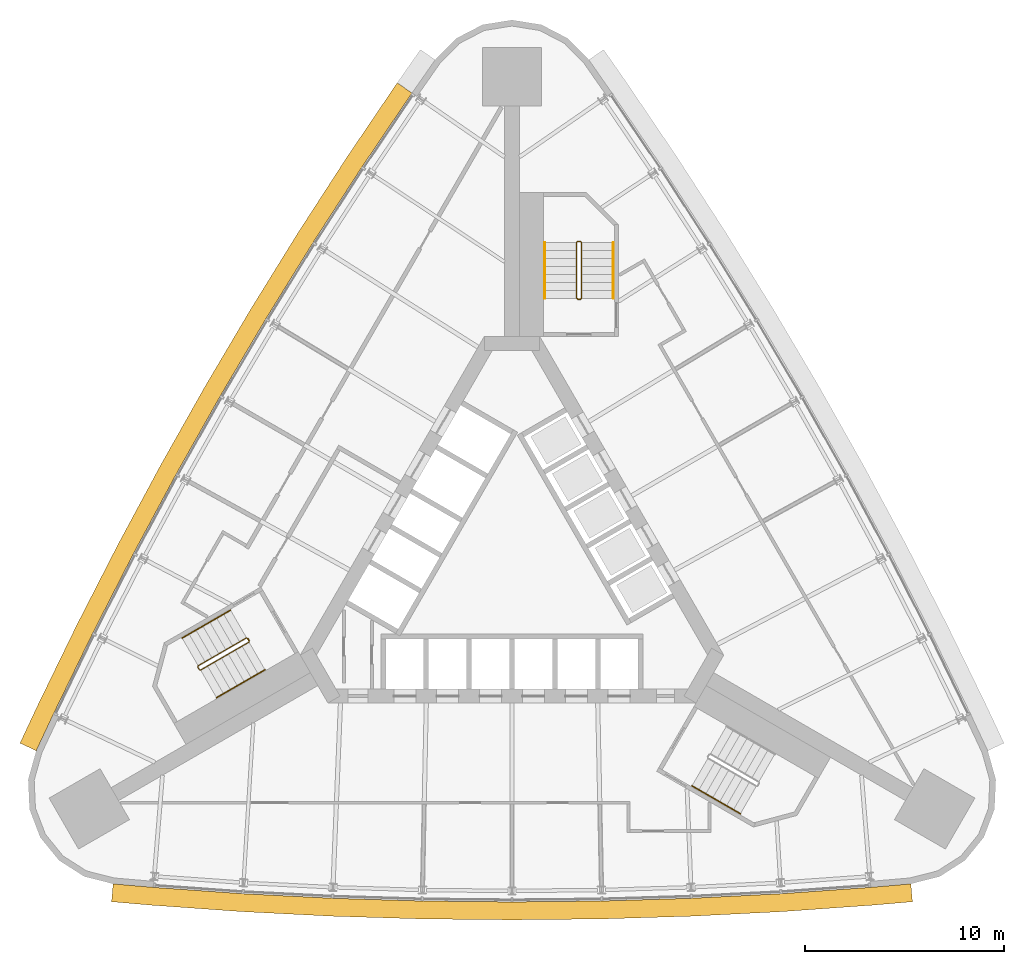
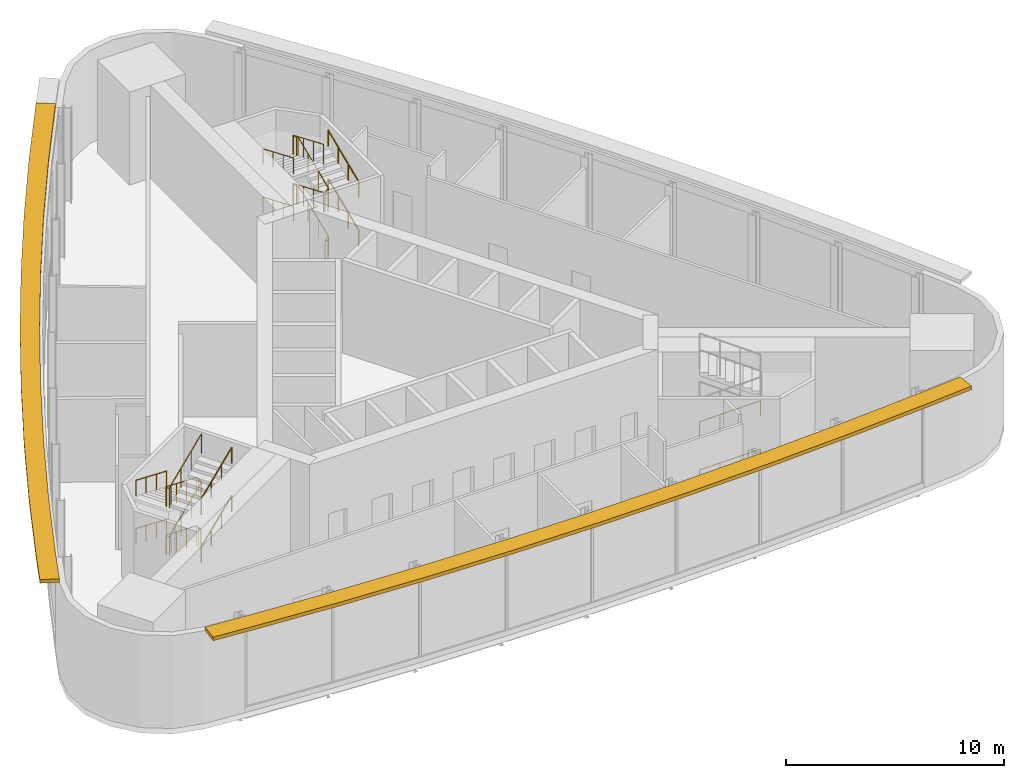
# One storey, part 9 of 11: 12 railings, 2 shading devices.
"""IFC4 building model written with IfcOpenShell, lengths in metres."""

from ifc_helpers import new_model, si_unit, direction, frame, origin, origin_2d, place, context, subcontext, project, spatial, polyline, circle, outline, extrude, material, type_object, element, save


model = new_model("IFC4")

# Units and contexts
model_context = context("Model", 3, precision=1e-05, world=origin(), true_north=direction((0.0, 1.0)))
body_context = subcontext(model_context, "Body", "Model", "MODEL_VIEW")
ifc_project = project(units=[si_unit("LENGTHUNIT", "METRE"), si_unit("AREAUNIT", "SQUARE_METRE"), si_unit("VOLUMEUNIT", "CUBIC_METRE"), si_unit("PLANEANGLEUNIT", "RADIAN"), si_unit("MASSUNIT", "GRAM", prefix="KILO")], contexts=[model_context])

# Site, building, storey
site_placement = place(None, origin())
site = spatial("IfcSite", under=ifc_project, at=site_placement, CompositionType="ELEMENT")
building_placement = place(site_placement, origin())
building = spatial("IfcBuilding", under=site, at=building_placement, Name="Noor Cloister Tower", CompositionType="ELEMENT")
storey_placement = place(building_placement, frame((0.0, 0.0, 134.699951171875)))
storey = spatial("IfcBuildingStorey", under=building, at=storey_placement, Name="L34", CompositionType="ELEMENT", Elevation=134.699951171875)

# Shading devices
ifc_material_1 = material(Name="Limestone", Category="masonry")
shading_device_type = type_object("IfcShadingDeviceType", Name="SUNSHADE limestone band 900", PredefinedType="USERDEFINED", material=ifc_material_1)
shading_device_1_placement = place(storey_placement, frame((0.0, 0.0, 5.199951171875)))
element("IfcShadingDevice", 1, at=shading_device_1_placement, inside=storey, type_object=shading_device_type, Name="SUNSHADE L34 1", ObjectType="SUNSHADE", PredefinedType="USERDEFINED", context=body_context, shape_type="SweptSolid", body=[
    extrude(outline(polyline([(-5.758056640625, 24.159912109375), (-8.2841796875, 20.4248046875), (-10.73876953125, 16.631591796875), (-13.115966796875, 12.789306640625), (-15.41455078125, 8.899658203125), (-17.6337890625, 4.964111328125), (-19.772705078125, 0.984130859375), (-21.83056640625, -3.0380859375), (-23.80517578125, -7.099365234375), (-24.666748046875, -8.93994140625), (-23.851806640625, -9.321533203125), (-22.992919921875, -7.48681640625), (-21.025146484375, -3.43994140625), (-18.9755859375, 0.566162109375), (-16.845458984375, 4.52978515625), (-14.635009765625, 8.449462890625), (-12.345703125, 12.323486328125), (-9.978271484375, 16.150390625), (-7.533447265625, 19.92822265625), (-5.0126953125, 23.65576171875), (-5.758056640625, 24.159912109375)])), origin(), (0.0, 0.0, 1.0), 0.2001953125),
])
shading_device_2_placement = place(storey_placement, frame((0.0, 0.0, 5.199951171875)))
element("IfcShadingDevice", 2, at=shading_device_2_placement, inside=storey, type_object=shading_device_type, Name="SUNSHADE L34 2", ObjectType="SUNSHADE", PredefinedType="USERDEFINED", context=body_context, shape_type="SweptSolid", body=[
    extrude(outline(polyline([(-20.07568359375, -16.89208984375), (-18.05078125, -17.066162109375), (-13.54638671875, -17.38671875), (-9.033935546875, -17.61572265625), (-4.51806640625, -17.75341796875), (0.0, -17.79931640625), (4.51806640625, -17.75341796875), (9.033935546875, -17.61572265625), (13.54638671875, -17.38671875), (18.05078125, -17.066162109375), (20.07568359375, -16.89208984375), (19.99853515625, -15.995361328125), (17.980224609375, -16.1689453125), (13.49169921875, -16.48828125), (8.99755859375, -16.716552734375), (4.499755859375, -16.853515625), (0.0, -16.899169921875), (-4.499755859375, -16.853515625), (-8.99755859375, -16.716552734375), (-13.49169921875, -16.48828125), (-17.980224609375, -16.1689453125), (-19.99853515625, -15.995361328125), (-20.07568359375, -16.89208984375)])), origin(), (0.0, 0.0, 1.0), 0.2001953125),
])

# Railings
ifc_material_2 = material(Name="Stainless steel", Category="steel")
railing_type_1 = type_object("IfcRailingType", Name="Stair guard 1100", PredefinedType="GUARDRAIL", material=ifc_material_2)
railing_1_placement = place(storey_placement, frame((3.435546875, 13.306396484375, 0.0)))
element("IfcRailing", 3, at=railing_1_placement, inside=storey, type_object=railing_type_1, Name="Stair guard ST1 L34", PredefinedType="GUARDRAIL", context=body_context, shape_type="SweptSolid", body=[
    extrude(circle(Radius=0.02392578125, at=origin_2d()), frame((0.0, 0.0, 1.076171875), z_axis=(-1.0, 0.0, 0.0), x_axis=(0.0, -1.0, 0.0)), (0.0, 0.0, 1.0), 0.14990234375),
    extrude(circle(Radius=0.02392578125, at=origin_2d()), frame((-0.14990234375, 0.0, 1.076171875), z_axis=(0.750691857518, 0.187902113298, 0.633367611166), x_axis=(-0.242814311512, 0.970072785993, 0.0)), (0.0, 0.0, 1.0), 0.266357421875),
    extrude(circle(Radius=0.02392578125, at=origin_2d()), frame((0.050048828125, 0.050048828125, 1.24462890625), z_axis=(0.0, 0.921349325574, 0.388735668886), x_axis=(-1.0, 0.0, 0.0)), (0.0, 0.0, 1.0), 3.0390625),
    extrude(circle(Radius=0.02392578125, at=origin_2d()), frame((0.050048828125, 2.85009765625, 2.42626953125), z_axis=(-0.708833529934, 0.705375805398, 0.0), x_axis=(-0.705375805398, -0.708833529934, 0.0)), (0.0, 0.0, 1.0), 0.070556640625),
    extrude(circle(Radius=0.02392578125, at=origin_2d()), frame((0.0, 2.89990234375, 2.42626953125), z_axis=(-1.0, 0.0, 0.0), x_axis=(0.0, -1.0, 0.0)), (0.0, 0.0, 1.0), 0.14990234375),
    extrude(circle(Radius=0.02392578125, at=origin_2d()), frame((-0.14990234375, 2.89990234375, 2.42626953125), z_axis=(-0.273668752699, -0.272333783174, 0.922463942026), x_axis=(0.705375805398, -0.708833529934, 0.0)), (0.0, 0.0, 1.0), 0.182861328125),
    extrude(circle(Radius=0.02392578125, at=origin_2d()), frame((-0.199951171875, 2.85009765625, 2.5947265625), z_axis=(0.0, -0.921378096441, 0.388667471495), x_axis=(1.0, 0.0, 0.0)), (0.0, 0.0, 1.0), 3.0390625),
    extrude(circle(Radius=0.02392578125, at=origin_2d()), frame((-0.199951171875, 0.050048828125, 3.77587890625), z_axis=(0.970072785993, -0.242814311512, 0.0), x_axis=(0.242814311512, 0.970072785993, 0.0)), (0.0, 0.0, 1.0), 0.2060546875),
    extrude(circle(Radius=0.02392578125, at=origin_2d()), frame((0.0, 0.0, 3.77587890625), z_axis=(-1.0, 0.0, 0.0), x_axis=(0.0, -1.0, 0.0)), (0.0, 0.0, 1.0), 0.14990234375),
    extrude(circle(Radius=0.02392578125, at=origin_2d()), frame((-0.14990234375, 0.0, 3.77587890625), z_axis=(0.750256113699, 0.187793044333, 0.633916032576), x_axis=(-0.242814311512, 0.970072785993, 0.0)), (0.0, 0.0, 1.0), 0.2666015625),
    extrude(circle(Radius=0.02392578125, at=origin_2d()), frame((0.050048828125, 0.050048828125, 3.94482421875), z_axis=(0.0, 0.921378096441, 0.388667471495), x_axis=(-1.0, 0.0, 0.0)), (0.0, 0.0, 1.0), 3.0390625),
    extrude(circle(Radius=0.02392578125, at=origin_2d()), frame((0.050048828125, 2.85009765625, 5.1259765625), z_axis=(-0.708833529934, 0.705375805398, 0.0), x_axis=(-0.705375805398, -0.708833529934, 0.0)), (0.0, 0.0, 1.0), 0.070556640625),
    extrude(circle(Radius=0.02392578125, at=origin_2d()), frame((0.0, 2.89990234375, 5.1259765625), z_axis=(-1.0, 0.0, 0.0), x_axis=(0.0, -1.0, 0.0)), (0.0, 0.0, 1.0), 0.14990234375),
    extrude(circle(Radius=0.02392578125, at=origin_2d()), frame((-0.14990234375, 2.89990234375, 5.1259765625), z_axis=(-0.273668752699, -0.272333783174, 0.922463942026), x_axis=(0.705375805398, -0.708833529934, 0.0)), (0.0, 0.0, 1.0), 0.182861328125),
    extrude(circle(Radius=0.02392578125, at=origin_2d()), frame((-0.199951171875, 2.85009765625, 5.294921875), z_axis=(0.0, -0.921349325574, 0.388735668886), x_axis=(1.0, 0.0, 0.0)), (0.0, 0.0, 1.0), 3.0390625),
    extrude(circle(Radius=0.02099609375, at=origin_2d()), origin(), (0.0, 0.0, 1.0), 1.052001953125),
    extrude(circle(Radius=0.02099609375, at=origin_2d()), frame((-0.14990234375, 0.0, 0.0)), (0.0, 0.0, 1.0), 1.052001953125),
    extrude(circle(Radius=0.02099609375, at=origin_2d()), frame((0.050048828125, 0.050048828125, 0.168701171875)), (0.0, 0.0, 1.0), 1.052001953125),
    extrude(circle(Radius=0.02099609375, at=origin_2d()), frame((0.050048828125, 0.9833984375, 0.5625)), (0.0, 0.0, 1.0), 1.052001953125),
    extrude(circle(Radius=0.02099609375, at=origin_2d()), frame((0.050048828125, 1.916748046875, 0.956298828125)), (0.0, 0.0, 1.0), 1.052001953125),
    extrude(circle(Radius=0.02099609375, at=origin_2d()), frame((0.050048828125, 2.85009765625, 1.35009765625)), (0.0, 0.0, 1.0), 1.052001953125),
    extrude(circle(Radius=0.02099609375, at=origin_2d()), frame((0.0, 2.89990234375, 1.35009765625)), (0.0, 0.0, 1.0), 1.052001953125),
    extrude(circle(Radius=0.02099609375, at=origin_2d()), frame((-0.14990234375, 2.89990234375, 1.35009765625)), (0.0, 0.0, 1.0), 1.052001953125),
    extrude(circle(Radius=0.02099609375, at=origin_2d()), frame((-0.199951171875, 2.85009765625, 1.518798828125)), (0.0, 0.0, 1.0), 1.052001953125),
    extrude(circle(Radius=0.02099609375, at=origin_2d()), frame((-0.199951171875, 1.916748046875, 1.91259765625)), (0.0, 0.0, 1.0), 1.052001953125),
    extrude(circle(Radius=0.02099609375, at=origin_2d()), frame((-0.199951171875, 0.9833984375, 2.30615234375)), (0.0, 0.0, 1.0), 1.052001953125),
    extrude(circle(Radius=0.02099609375, at=origin_2d()), frame((-0.199951171875, 0.050048828125, 2.699951171875)), (0.0, 0.0, 1.0), 1.052001953125),
    extrude(circle(Radius=0.02099609375, at=origin_2d()), frame((0.0, 0.0, 2.699951171875)), (0.0, 0.0, 1.0), 1.052001953125),
    extrude(circle(Radius=0.02099609375, at=origin_2d()), frame((-0.14990234375, 0.0, 2.699951171875)), (0.0, 0.0, 1.0), 1.052001953125),
    extrude(circle(Radius=0.02099609375, at=origin_2d()), frame((0.050048828125, 0.050048828125, 2.868896484375)), (0.0, 0.0, 1.0), 1.052001953125),
    extrude(circle(Radius=0.02099609375, at=origin_2d()), frame((0.050048828125, 0.9833984375, 3.2626953125)), (0.0, 0.0, 1.0), 1.052001953125),
    extrude(circle(Radius=0.02099609375, at=origin_2d()), frame((0.050048828125, 1.916748046875, 3.65625)), (0.0, 0.0, 1.0), 1.052001953125),
    extrude(circle(Radius=0.02099609375, at=origin_2d()), frame((0.050048828125, 2.85009765625, 4.050048828125)), (0.0, 0.0, 1.0), 1.052001953125),
    extrude(circle(Radius=0.02099609375, at=origin_2d()), frame((0.0, 2.89990234375, 4.050048828125)), (0.0, 0.0, 1.0), 1.052001953125),
    extrude(circle(Radius=0.02099609375, at=origin_2d()), frame((-0.14990234375, 2.89990234375, 4.050048828125)), (0.0, 0.0, 1.0), 1.052001953125),
    extrude(circle(Radius=0.02099609375, at=origin_2d()), frame((-0.199951171875, 2.85009765625, 4.21875)), (0.0, 0.0, 1.0), 1.052001953125),
    extrude(circle(Radius=0.02099609375, at=origin_2d()), frame((-0.199951171875, 1.916748046875, 4.612548828125)), (0.0, 0.0, 1.0), 1.052001953125),
    extrude(circle(Radius=0.02099609375, at=origin_2d()), frame((-0.199951171875, 0.9833984375, 5.00634765625)), (0.0, 0.0, 1.0), 1.052001953125),
    extrude(circle(Radius=0.02099609375, at=origin_2d()), frame((-0.199951171875, 0.050048828125, 5.400146484375)), (0.0, 0.0, 1.0), 1.052001953125),
])
railing_2_placement = place(storey_placement, frame((-13.241455078125, -3.677734375, 0.0)))
element("IfcRailing", 4, at=railing_2_placement, inside=storey, type_object=railing_type_1, Name="Stair guard ST2 L34", PredefinedType="GUARDRAIL", context=body_context, shape_type="SweptSolid", body=[
    extrude(circle(Radius=0.02392578125, at=origin_2d()), frame((0.0, 0.0, 1.076171875), z_axis=(0.499112439033, -0.866537231285, 0.0), x_axis=(0.866537231285, 0.499112439033, 0.0)), (0.0, 0.0, 1.0), 0.150146484375),
    extrude(circle(Radius=0.02392578125, at=origin_2d()), frame((0.074951171875, -0.130126953125, 1.076171875), z_axis=(-0.537989232676, 0.556319359854, 0.633305894001), x_axis=(-0.718850276695, -0.695164929852, 0.0)), (0.0, 0.0, 1.0), 0.266357421875),
    extrude(circle(Radius=0.02392578125, at=origin_2d()), frame((-0.068359375, 0.01806640625, 1.24462890625), z_axis=(-0.797913686838, -0.460656169989, 0.388753959989), x_axis=(0.49998411664, -0.866034573852, 0.0)), (0.0, 0.0, 1.0), 3.038818359375),
    extrude(circle(Radius=0.02392578125, at=origin_2d()), frame((-2.4931640625, -1.3818359375, 2.42626953125), z_axis=(-0.258736085224, -0.965948051503, 0.0), x_axis=(0.965948051503, -0.258736085224, 0.0)), (0.0, 0.0, 1.0), 0.07080078125),
    extrude(circle(Radius=0.02392578125, at=origin_2d()), frame((-2.511474609375, -1.4501953125, 2.42626953125), z_axis=(0.499816412211, -0.866131372301, 0.0), x_axis=(0.866131372301, 0.499816412211, 0.0)), (0.0, 0.0, 1.0), 0.14990234375),
    extrude(circle(Radius=0.02392578125, at=origin_2d()), frame((-2.4365234375, -1.580078125, 2.42626953125), z_axis=(0.373663631894, -0.100088472829, 0.922148462996), x_axis=(0.258736085224, 0.965948051503, 0.0)), (0.0, 0.0, 1.0), 0.182861328125),
    extrude(circle(Radius=0.02392578125, at=origin_2d()), frame((-2.3681640625, -1.598388671875, 2.5947265625), z_axis=(0.797909072615, 0.460733843279, 0.388671374679), x_axis=(-0.500049511043, 0.865996816683, 0.0)), (0.0, 0.0, 1.0), 3.0390625),
    extrude(circle(Radius=0.02392578125, at=origin_2d()), frame((0.056640625, -0.1982421875, 3.77587890625), z_axis=(-0.274721127897, 0.961523947641, 0.0), x_axis=(-0.961523947641, -0.274721127897, 0.0)), (0.0, 0.0, 1.0), 0.2060546875),
    extrude(circle(Radius=0.02392578125, at=origin_2d()), frame((0.0, 0.0, 3.77587890625), z_axis=(0.499112439033, -0.866537231285, 0.0), x_axis=(0.866537231285, 0.499112439033, 0.0)), (0.0, 0.0, 1.0), 0.150146484375),
    extrude(circle(Radius=0.02392578125, at=origin_2d()), frame((0.074951171875, -0.130126953125, 3.77587890625), z_axis=(-0.537677014239, 0.55599650365, 0.633854333651), x_axis=(-0.718850276695, -0.695164929852, 0.0)), (0.0, 0.0, 1.0), 0.2666015625),
    extrude(circle(Radius=0.02392578125, at=origin_2d()), frame((-0.068359375, 0.01806640625, 3.94482421875), z_axis=(-0.79793860554, -0.460670556199, 0.388685760532), x_axis=(0.49998411664, -0.866034573852, 0.0)), (0.0, 0.0, 1.0), 3.038818359375),
    extrude(circle(Radius=0.02392578125, at=origin_2d()), frame((-2.4931640625, -1.3818359375, 5.1259765625), z_axis=(-0.258736085224, -0.965948051503, 0.0), x_axis=(0.965948051503, -0.258736085224, 0.0)), (0.0, 0.0, 1.0), 0.07080078125),
    extrude(circle(Radius=0.02392578125, at=origin_2d()), frame((-2.511474609375, -1.4501953125, 5.1259765625), z_axis=(0.499816412211, -0.866131372301, 0.0), x_axis=(0.866131372301, 0.499816412211, 0.0)), (0.0, 0.0, 1.0), 0.14990234375),
    extrude(circle(Radius=0.02392578125, at=origin_2d()), frame((-2.4365234375, -1.580078125, 5.1259765625), z_axis=(0.373663631894, -0.100088472829, 0.922148462996), x_axis=(0.258736085224, 0.965948051503, 0.0)), (0.0, 0.0, 1.0), 0.182861328125),
    extrude(circle(Radius=0.02392578125, at=origin_2d()), frame((-2.3681640625, -1.598388671875, 5.294921875), z_axis=(0.79788415668, 0.460719456158, 0.388739572511), x_axis=(-0.500049511043, 0.865996816683, 0.0)), (0.0, 0.0, 1.0), 3.0390625),
    extrude(circle(Radius=0.02099609375, at=origin_2d()), origin(), (0.0, 0.0, 1.0), 1.052001953125),
    extrude(circle(Radius=0.02099609375, at=origin_2d()), frame((0.074951171875, -0.130126953125, 0.0)), (0.0, 0.0, 1.0), 1.052001953125),
    extrude(circle(Radius=0.02099609375, at=origin_2d()), frame((-0.068359375, 0.01806640625, 0.168701171875)), (0.0, 0.0, 1.0), 1.052001953125),
    extrude(circle(Radius=0.02099609375, at=origin_2d()), frame((-0.876708984375, -0.448486328125, 0.5625)), (0.0, 0.0, 1.0), 1.052001953125),
    extrude(circle(Radius=0.02099609375, at=origin_2d()), frame((-1.684814453125, -0.915283203125, 0.956298828125)), (0.0, 0.0, 1.0), 1.052001953125),
    extrude(circle(Radius=0.02099609375, at=origin_2d()), frame((-2.4931640625, -1.3818359375, 1.35009765625)), (0.0, 0.0, 1.0), 1.052001953125),
    extrude(circle(Radius=0.02099609375, at=origin_2d()), frame((-2.511474609375, -1.4501953125, 1.35009765625)), (0.0, 0.0, 1.0), 1.052001953125),
    extrude(circle(Radius=0.02099609375, at=origin_2d()), frame((-2.4365234375, -1.580078125, 1.35009765625)), (0.0, 0.0, 1.0), 1.052001953125),
    extrude(circle(Radius=0.02099609375, at=origin_2d()), frame((-2.3681640625, -1.598388671875, 1.518798828125)), (0.0, 0.0, 1.0), 1.052001953125),
    extrude(circle(Radius=0.02099609375, at=origin_2d()), frame((-1.559814453125, -1.131591796875, 1.91259765625)), (0.0, 0.0, 1.0), 1.052001953125),
    extrude(circle(Radius=0.02099609375, at=origin_2d()), frame((-0.751708984375, -0.6650390625, 2.30615234375)), (0.0, 0.0, 1.0), 1.052001953125),
    extrude(circle(Radius=0.02099609375, at=origin_2d()), frame((0.056640625, -0.1982421875, 2.699951171875)), (0.0, 0.0, 1.0), 1.052001953125),
    extrude(circle(Radius=0.02099609375, at=origin_2d()), frame((0.0, 0.0, 2.699951171875)), (0.0, 0.0, 1.0), 1.052001953125),
    extrude(circle(Radius=0.02099609375, at=origin_2d()), frame((0.074951171875, -0.130126953125, 2.699951171875)), (0.0, 0.0, 1.0), 1.052001953125),
    extrude(circle(Radius=0.02099609375, at=origin_2d()), frame((-0.068359375, 0.01806640625, 2.868896484375)), (0.0, 0.0, 1.0), 1.052001953125),
    extrude(circle(Radius=0.02099609375, at=origin_2d()), frame((-0.876708984375, -0.448486328125, 3.2626953125)), (0.0, 0.0, 1.0), 1.052001953125),
    extrude(circle(Radius=0.02099609375, at=origin_2d()), frame((-1.684814453125, -0.915283203125, 3.65625)), (0.0, 0.0, 1.0), 1.052001953125),
    extrude(circle(Radius=0.02099609375, at=origin_2d()), frame((-2.4931640625, -1.3818359375, 4.050048828125)), (0.0, 0.0, 1.0), 1.052001953125),
    extrude(circle(Radius=0.02099609375, at=origin_2d()), frame((-2.511474609375, -1.4501953125, 4.050048828125)), (0.0, 0.0, 1.0), 1.052001953125),
    extrude(circle(Radius=0.02099609375, at=origin_2d()), frame((-2.4365234375, -1.580078125, 4.050048828125)), (0.0, 0.0, 1.0), 1.052001953125),
    extrude(circle(Radius=0.02099609375, at=origin_2d()), frame((-2.3681640625, -1.598388671875, 4.21875)), (0.0, 0.0, 1.0), 1.052001953125),
    extrude(circle(Radius=0.02099609375, at=origin_2d()), frame((-1.559814453125, -1.131591796875, 4.612548828125)), (0.0, 0.0, 1.0), 1.052001953125),
    extrude(circle(Radius=0.02099609375, at=origin_2d()), frame((-0.751708984375, -0.6650390625, 5.00634765625)), (0.0, 0.0, 1.0), 1.052001953125),
    extrude(circle(Radius=0.02099609375, at=origin_2d()), frame((0.056640625, -0.1982421875, 5.400146484375)), (0.0, 0.0, 1.0), 1.052001953125),
])
ifc_material_3 = material(Name="Stainless steel", Category="steel")
railing_type_2 = type_object("IfcRailingType", Name="Stair handrail 900", PredefinedType="HANDRAIL", material=ifc_material_3)
railing_3_placement = place(storey_placement, frame((5.085693359375, 13.3564453125, 0.168701171875)))
element("IfcRailing", 5, at=railing_3_placement, inside=storey, type_object=railing_type_2, Name="Stair handrail ST1 L34 1", PredefinedType="HANDRAIL", context=body_context, shape_type="SweptSolid", body=[
    extrude(circle(Radius=0.02392578125, at=origin_2d()), frame((0.0, 0.0, 0.8759765625), z_axis=(0.0, 0.921349325574, 0.388735668886), x_axis=(-1.0, 0.0, 0.0)), (0.0, 0.0, 1.0), 3.0390625),
    extrude(circle(Radius=0.02099609375, at=origin_2d()), origin(), (0.0, 0.0, 1.0), 0.851806640625),
    extrude(circle(Radius=0.02099609375, at=origin_2d()), frame((0.0, 0.933349609375, 0.393798828125)), (0.0, 0.0, 1.0), 0.851806640625),
    extrude(circle(Radius=0.02099609375, at=origin_2d()), frame((0.0, 1.86669921875, 0.78759765625)), (0.0, 0.0, 1.0), 0.851806640625),
    extrude(circle(Radius=0.02099609375, at=origin_2d()), frame((0.0, 2.800048828125, 1.181396484375)), (0.0, 0.0, 1.0), 0.851806640625),
])
railing_4_placement = place(storey_placement, frame((1.6357421875, 16.156494140625, 1.518798828125)))
element("IfcRailing", 6, at=railing_4_placement, inside=storey, type_object=railing_type_2, Name="Stair handrail ST1 L34 2", PredefinedType="HANDRAIL", context=body_context, shape_type="SweptSolid", body=[
    extrude(circle(Radius=0.02392578125, at=origin_2d()), frame((0.0, 0.0, 0.8759765625), z_axis=(0.0, -0.921378096441, 0.388667471495), x_axis=(1.0, 0.0, 0.0)), (0.0, 0.0, 1.0), 3.0390625),
    extrude(circle(Radius=0.02099609375, at=origin_2d()), origin(), (0.0, 0.0, 1.0), 0.851806640625),
    extrude(circle(Radius=0.02099609375, at=origin_2d()), frame((0.0, -0.933349609375, 0.393798828125)), (0.0, 0.0, 1.0), 0.851806640625),
    extrude(circle(Radius=0.02099609375, at=origin_2d()), frame((0.0, -1.86669921875, 0.787353515625)), (0.0, 0.0, 1.0), 0.851806640625),
    extrude(circle(Radius=0.02099609375, at=origin_2d()), frame((0.0, -2.800048828125, 1.18115234375)), (0.0, 0.0, 1.0), 0.851806640625),
])
railing_5_placement = place(storey_placement, frame((5.085693359375, 13.3564453125, 2.868896484375)))
element("IfcRailing", 7, at=railing_5_placement, inside=storey, type_object=railing_type_2, Name="Stair handrail ST1 L34 3", PredefinedType="HANDRAIL", context=body_context, shape_type="SweptSolid", body=[
    extrude(circle(Radius=0.02392578125, at=origin_2d()), frame((0.0, 0.0, 0.8759765625), z_axis=(0.0, 0.921378096441, 0.388667471495), x_axis=(-1.0, 0.0, 0.0)), (0.0, 0.0, 1.0), 3.0390625),
    extrude(circle(Radius=0.02099609375, at=origin_2d()), origin(), (0.0, 0.0, 1.0), 0.851806640625),
    extrude(circle(Radius=0.02099609375, at=origin_2d()), frame((0.0, 0.933349609375, 0.393798828125)), (0.0, 0.0, 1.0), 0.851806640625),
    extrude(circle(Radius=0.02099609375, at=origin_2d()), frame((0.0, 1.86669921875, 0.787353515625)), (0.0, 0.0, 1.0), 0.851806640625),
    extrude(circle(Radius=0.02099609375, at=origin_2d()), frame((0.0, 2.800048828125, 1.18115234375)), (0.0, 0.0, 1.0), 0.851806640625),
])
railing_6_placement = place(storey_placement, frame((1.6357421875, 16.156494140625, 4.21875)))
element("IfcRailing", 8, at=railing_6_placement, inside=storey, type_object=railing_type_2, Name="Stair handrail ST1 L34 4", PredefinedType="HANDRAIL", context=body_context, shape_type="SweptSolid", body=[
    extrude(circle(Radius=0.02392578125, at=origin_2d()), frame((0.0, 0.0, 0.8759765625), z_axis=(0.0, -0.921349325574, 0.388735668886), x_axis=(1.0, 0.0, 0.0)), (0.0, 0.0, 1.0), 3.0390625),
    extrude(circle(Radius=0.02099609375, at=origin_2d()), origin(), (0.0, 0.0, 1.0), 0.851806640625),
    extrude(circle(Radius=0.02099609375, at=origin_2d()), frame((0.0, -0.933349609375, 0.393798828125)), (0.0, 0.0, 1.0), 0.851806640625),
    extrude(circle(Radius=0.02099609375, at=origin_2d()), frame((0.0, -1.86669921875, 0.78759765625)), (0.0, 0.0, 1.0), 0.851806640625),
    extrude(circle(Radius=0.02099609375, at=origin_2d()), frame((0.0, -2.800048828125, 1.181396484375)), (0.0, 0.0, 1.0), 0.851806640625),
])
railing_7_placement = place(storey_placement, frame((-14.10986328125, -2.27392578125, 0.168701171875)))
element("IfcRailing", 9, at=railing_7_placement, inside=storey, type_object=railing_type_2, Name="Stair handrail ST2 L34 1", PredefinedType="HANDRAIL", context=body_context, shape_type="SweptSolid", body=[
    extrude(circle(Radius=0.02392578125, at=origin_2d()), frame((0.0, 0.0, 0.8759765625), z_axis=(-0.797913686838, -0.460656169989, 0.388753959989), x_axis=(0.49998411664, -0.866034573852, 0.0)), (0.0, 0.0, 1.0), 3.038818359375),
    extrude(circle(Radius=0.02099609375, at=origin_2d()), origin(), (0.0, 0.0, 1.0), 0.851806640625),
    extrude(circle(Radius=0.02099609375, at=origin_2d()), frame((-0.808349609375, -0.466552734375, 0.393798828125)), (0.0, 0.0, 1.0), 0.851806640625),
    extrude(circle(Radius=0.02099609375, at=origin_2d()), frame((-1.616455078125, -0.933349609375, 0.78759765625)), (0.0, 0.0, 1.0), 0.851806640625),
    extrude(circle(Radius=0.02099609375, at=origin_2d()), frame((-2.4248046875, -1.39990234375, 1.181396484375)), (0.0, 0.0, 1.0), 0.851806640625),
])
railing_8_placement = place(storey_placement, frame((-14.8095703125, -6.66162109375, 1.518798828125)))
element("IfcRailing", 10, at=railing_8_placement, inside=storey, type_object=railing_type_2, Name="Stair handrail ST2 L34 2", PredefinedType="HANDRAIL", context=body_context, shape_type="SweptSolid", body=[
    extrude(circle(Radius=0.02392578125, at=origin_2d()), frame((0.0, 0.0, 0.8759765625), z_axis=(0.79793860554, 0.460670556199, 0.388685760532), x_axis=(-0.49998411664, 0.866034573852, 0.0)), (0.0, 0.0, 1.0), 3.038818359375),
    extrude(circle(Radius=0.02099609375, at=origin_2d()), origin(), (0.0, 0.0, 1.0), 0.851806640625),
    extrude(circle(Radius=0.02099609375, at=origin_2d()), frame((0.808349609375, 0.466552734375, 0.393798828125)), (0.0, 0.0, 1.0), 0.851806640625),
    extrude(circle(Radius=0.02099609375, at=origin_2d()), frame((1.616455078125, 0.933349609375, 0.787353515625)), (0.0, 0.0, 1.0), 0.851806640625),
    extrude(circle(Radius=0.02099609375, at=origin_2d()), frame((2.4248046875, 1.39990234375, 1.18115234375)), (0.0, 0.0, 1.0), 0.851806640625),
])
railing_9_placement = place(storey_placement, frame((-14.10986328125, -2.27392578125, 2.868896484375)))
element("IfcRailing", 11, at=railing_9_placement, inside=storey, type_object=railing_type_2, Name="Stair handrail ST2 L34 3", PredefinedType="HANDRAIL", context=body_context, shape_type="SweptSolid", body=[
    extrude(circle(Radius=0.02392578125, at=origin_2d()), frame((0.0, 0.0, 0.8759765625), z_axis=(-0.79793860554, -0.460670556199, 0.388685760532), x_axis=(0.49998411664, -0.866034573852, 0.0)), (0.0, 0.0, 1.0), 3.038818359375),
    extrude(circle(Radius=0.02099609375, at=origin_2d()), origin(), (0.0, 0.0, 1.0), 0.851806640625),
    extrude(circle(Radius=0.02099609375, at=origin_2d()), frame((-0.808349609375, -0.466552734375, 0.393798828125)), (0.0, 0.0, 1.0), 0.851806640625),
    extrude(circle(Radius=0.02099609375, at=origin_2d()), frame((-1.616455078125, -0.933349609375, 0.787353515625)), (0.0, 0.0, 1.0), 0.851806640625),
    extrude(circle(Radius=0.02099609375, at=origin_2d()), frame((-2.4248046875, -1.39990234375, 1.18115234375)), (0.0, 0.0, 1.0), 0.851806640625),
])
railing_10_placement = place(storey_placement, frame((-14.8095703125, -6.66162109375, 4.21875)))
element("IfcRailing", 12, at=railing_10_placement, inside=storey, type_object=railing_type_2, Name="Stair handrail ST2 L34 4", PredefinedType="HANDRAIL", context=body_context, shape_type="SweptSolid", body=[
    extrude(circle(Radius=0.02392578125, at=origin_2d()), frame((0.0, 0.0, 0.8759765625), z_axis=(0.797913686838, 0.460656169989, 0.388753959989), x_axis=(-0.49998411664, 0.866034573852, 0.0)), (0.0, 0.0, 1.0), 3.038818359375),
    extrude(circle(Radius=0.02099609375, at=origin_2d()), origin(), (0.0, 0.0, 1.0), 0.851806640625),
    extrude(circle(Radius=0.02099609375, at=origin_2d()), frame((0.808349609375, 0.466552734375, 0.393798828125)), (0.0, 0.0, 1.0), 0.851806640625),
    extrude(circle(Radius=0.02099609375, at=origin_2d()), frame((1.616455078125, 0.933349609375, 0.78759765625)), (0.0, 0.0, 1.0), 0.851806640625),
    extrude(circle(Radius=0.02099609375, at=origin_2d()), frame((2.4248046875, 1.39990234375, 1.181396484375)), (0.0, 0.0, 1.0), 0.851806640625),
])
railing_11_placement = place(storey_placement, frame((9.024169921875, -11.08251953125, 0.168701171875)))
element("IfcRailing", 13, at=railing_11_placement, inside=storey, type_object=railing_type_2, Name="Stair handrail ST3 L34 1", PredefinedType="HANDRAIL", context=body_context, shape_type="SweptSolid", body=[
    extrude(circle(Radius=0.02392578125, at=origin_2d()), frame((0.0, 0.0, 0.8759765625), z_axis=(0.797913686838, -0.460656169989, 0.388753959989), x_axis=(0.49998411664, 0.866034573852, 0.0)), (0.0, 0.0, 1.0), 3.038818359375),
    extrude(circle(Radius=0.02099609375, at=origin_2d()), origin(), (0.0, 0.0, 1.0), 0.851806640625),
    extrude(circle(Radius=0.02099609375, at=origin_2d()), frame((0.808349609375, -0.466552734375, 0.393798828125)), (0.0, 0.0, 1.0), 0.851806640625),
    extrude(circle(Radius=0.02099609375, at=origin_2d()), frame((1.616455078125, -0.933349609375, 0.78759765625)), (0.0, 0.0, 1.0), 0.851806640625),
    extrude(circle(Radius=0.02099609375, at=origin_2d()), frame((2.4248046875, -1.39990234375, 1.181396484375)), (0.0, 0.0, 1.0), 0.851806640625),
])
railing_12_placement = place(storey_placement, frame((9.024169921875, -11.08251953125, 2.868896484375)))
element("IfcRailing", 14, at=railing_12_placement, inside=storey, type_object=railing_type_2, Name="Stair handrail ST3 L34 3", PredefinedType="HANDRAIL", context=body_context, shape_type="SweptSolid", body=[
    extrude(circle(Radius=0.02392578125, at=origin_2d()), frame((0.0, 0.0, 0.8759765625), z_axis=(0.79793860554, -0.460670556199, 0.388685760532), x_axis=(0.49998411664, 0.866034573852, 0.0)), (0.0, 0.0, 1.0), 3.038818359375),
    extrude(circle(Radius=0.02099609375, at=origin_2d()), origin(), (0.0, 0.0, 1.0), 0.851806640625),
    extrude(circle(Radius=0.02099609375, at=origin_2d()), frame((0.808349609375, -0.466552734375, 0.393798828125)), (0.0, 0.0, 1.0), 0.851806640625),
    extrude(circle(Radius=0.02099609375, at=origin_2d()), frame((1.616455078125, -0.933349609375, 0.787353515625)), (0.0, 0.0, 1.0), 0.851806640625),
    extrude(circle(Radius=0.02099609375, at=origin_2d()), frame((2.4248046875, -1.39990234375, 1.18115234375)), (0.0, 0.0, 1.0), 0.851806640625),
])

save(model, "model.ifc")
